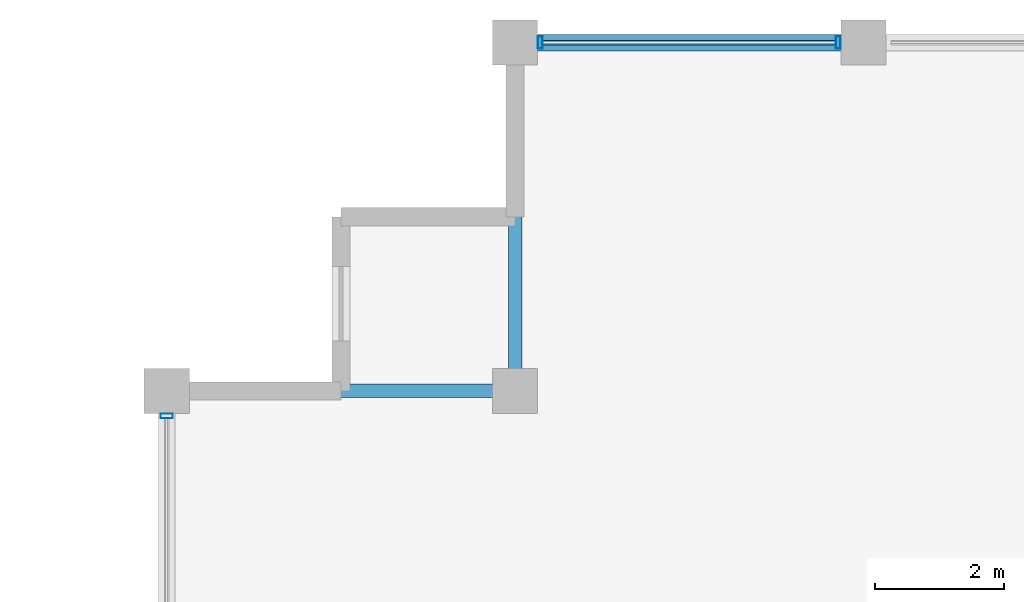
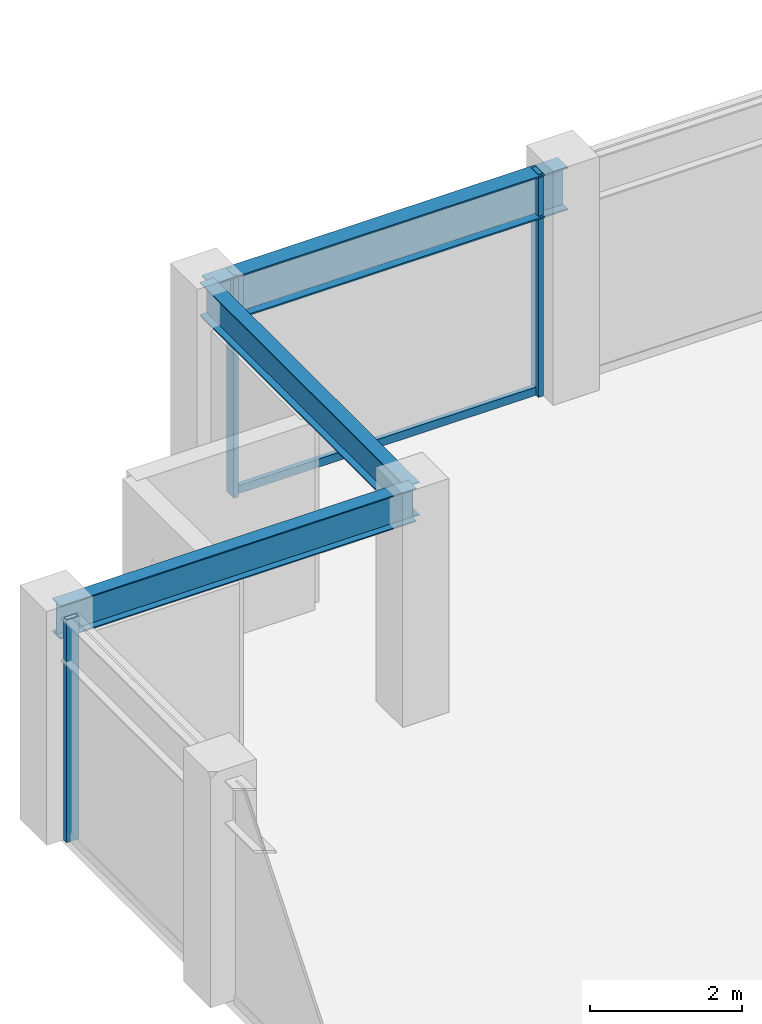
# One storey, part 15 of 31: 4 members, 3 beams, 2 elements without a shape of their own.
"""IFC4 building model written with IfcOpenShell, lengths in metres."""

from ifc_helpers import new_model, si_unit, direction, frame, origin, origin_2d, place, context, subcontext, project, spatial, hollow_rectangle, i_section, extrude, material, layer, layer_set, material_profile, profile_set, type_object, element, aggregate, save


model = new_model("IFC4")

# Units and contexts
model_context = context("Model", 3, precision=1e-05, world=origin(), true_north=direction((0.0, 1.0)))
body_context = subcontext(model_context, "Body", "Model", "MODEL_VIEW")
ifc_project = project(units=[si_unit("LENGTHUNIT", "METRE"), si_unit("AREAUNIT", "SQUARE_METRE"), si_unit("VOLUMEUNIT", "CUBIC_METRE"), si_unit("PLANEANGLEUNIT", "RADIAN"), si_unit("MASSUNIT", "GRAM", prefix="KILO")], contexts=[model_context])

# Site, building, storey
site_placement = place(None, origin())
site = spatial("IfcSite", under=ifc_project, at=site_placement, CompositionType="ELEMENT")
building_placement = place(site_placement, origin())
building = spatial("IfcBuilding", under=site, at=building_placement, Name="Surkhivell Harbour Commons", CompositionType="ELEMENT")
storey_placement = place(building_placement, frame((0.0, 0.0, 318.75)))
storey = spatial("IfcBuildingStorey", under=building, at=storey_placement, Name="L83", CompositionType="ELEMENT", Elevation=318.75)

# Beams
ifc_material_1 = material(Name="Steel S355", Category="steel")
ifc_material_profile_1 = material_profile(ifc_material_1, i_section(OverallWidth=0.2099609375, OverallDepth=0.537109375, WebThickness=0.0107421875, FlangeThickness=0.017333984375, at=origin_2d()), Name="UB533x210x101")
ifc_profile_set_1 = profile_set([ifc_material_profile_1], Name="Steel S355")
beam_type_1 = type_object("IfcBeamType", Name="BM-GRD-533B", PredefinedType="BEAM", material=ifc_profile_set_1)
for number, where, z_axis, x_axis, name in (
    (1, (-27.0, 20.5, 3.301513671875), (1.0, 0.0, 0.0), (0.0, 1.0, 0.0), "L83 Floor Girder (-27.0,20.5)"),
    (2, (-21.60009765625, 20.5, 3.301513671875), (0.0, 1.0, 0.0), (-1.0, 0.0, 0.0), "L83 Floor Girder (-21.6,20.5)"),
):
    element("IfcBeam", number, at=place(storey_placement, frame(where, z_axis=z_axis, x_axis=x_axis)), inside=storey, type_object=beam_type_1, Name=name, PredefinedType="BEAM", context=body_context, shape_type="SweptSolid", body=[
        extrude(i_section(OverallWidth=0.2099609375, OverallDepth=0.537109375, WebThickness=0.0107421875, FlangeThickness=0.017333984375, at=origin_2d()), origin(), (0.0, 0.0, 1.0), 5.39990234375),
    ])
ifc_material_profile_2 = material_profile(ifc_material_1, i_section(OverallWidth=0.256103515625, OverallDepth=0.693115234375, WebThickness=0.014404296875, FlangeThickness=0.023681640625, at=origin_2d()), Name="UB686x254x170")
ifc_profile_set_2 = profile_set([ifc_material_profile_2], Name="Steel S355")
beam_type_2 = type_object("IfcBeamType", Name="BM-SPN-686", PredefinedType="SPANDREL", material=ifc_profile_set_2)
beam_placement = place(storey_placement, frame((-21.60009765625, 25.89990234375, 3.223388671875), z_axis=(1.0, 0.0, 0.0), x_axis=(0.0, 1.0, 0.0)))
element("IfcBeam", 3, at=beam_placement, inside=storey, type_object=beam_type_2, Name="L83 Tube Spandrel (-21.6,25.9)", PredefinedType="SPANDREL", context=body_context, shape_type="SweptSolid", body=[
    extrude(i_section(OverallWidth=0.256103515625, OverallDepth=0.693115234375, WebThickness=0.014404296875, FlangeThickness=0.023681640625, at=origin_2d()), origin(), (0.0, 0.0, 1.0), 5.400146484375),
])

# Curtain wall, members
ifc_material_2 = material(Name="Anodised pale-metal aluminium and insulated glazing", Category="aluminium")
ifc_layer = layer(ifc_material_2, 0.175048828125)
ifc_layer_set = layer_set([ifc_layer], Name="Anodised pale-metal aluminium and insulated glazing")
curtain_wall_type = type_object("IfcCurtainWallType", Name="CW-SYS-Z4", PredefinedType="NOTDEFINED", material=ifc_layer_set)
curtain_wall_1_placement = place(storey_placement, origin())
curtain_wall_1 = element("IfcCurtainWall", 4, at=curtain_wall_1_placement, inside=storey, type_object=curtain_wall_type, Name="L83 Curtain Wall CW-L83-E07S2", PredefinedType="NOTDEFINED")
ifc_material_3 = material(Name="Anodised pale-metal aluminium alloy 6063-T6", Category="aluminium")
ifc_material_profile_3 = material_profile(ifc_material_3, hollow_rectangle(XDim=0.074951171875, YDim=0.18994140625, WallThickness=0.00390625, at=origin_2d()), Name="ALU-MULL-75x190")
ifc_profile_set_3 = profile_set([ifc_material_profile_3], Name="Anodised pale-metal aluminium alloy 6063-T6")
member_type_1 = type_object("IfcMemberType", Name="CWM-190", PredefinedType="MULLION", material=ifc_profile_set_3)
member_1_placement = place(storey_placement, frame((-16.589599609375, 25.89990234375, 0.0), z_axis=(0.0, 0.0, 1.0), x_axis=(-1.0, 0.0, 0.0)))
member_1 = element("IfcMember", 5, at=member_1_placement, type_object=member_type_1, Name="CW-Z4 mullion 3", PredefinedType="MULLION", context=body_context, shape_type="SweptSolid", body=[
    extrude(hollow_rectangle(XDim=0.074951171875, YDim=0.18994140625, WallThickness=0.00390625, at=origin_2d()), origin(), (0.0, 0.0, 1.0), 3.570068359375),
])
member_2_placement = place(storey_placement, frame((-21.21044921875, 25.89990234375, 0.0), z_axis=(0.0, 0.0, 1.0), x_axis=(-1.0, 0.0, 0.0)))
member_2 = element("IfcMember", 6, at=member_2_placement, type_object=member_type_1, Name="CW-Z4 mullion 4", PredefinedType="MULLION", context=body_context, shape_type="SweptSolid", body=[
    extrude(hollow_rectangle(XDim=0.074951171875, YDim=0.18994140625, WallThickness=0.00390625, at=origin_2d()), origin(), (0.0, 0.0, 1.0), 3.570068359375),
])

# Curtain wall, member
curtain_wall_2_placement = place(storey_placement, origin())
curtain_wall_2 = element("IfcCurtainWall", 7, at=curtain_wall_2_placement, inside=storey, type_object=curtain_wall_type, Name="L83 Curtain Wall CW-L83-E12R2", PredefinedType="NOTDEFINED")
member_3_placement = place(storey_placement, frame((-27.0, 20.110595703125, 0.0), z_axis=(0.0, 0.0, 1.0), x_axis=(0.0, 1.0, 0.0)))
member_3 = element("IfcMember", 8, at=member_3_placement, type_object=member_type_1, Name="CW-Z4 mullion 4", PredefinedType="MULLION", context=body_context, shape_type="SweptSolid", body=[
    extrude(hollow_rectangle(XDim=0.074951171875, YDim=0.18994140625, WallThickness=0.00390625, at=origin_2d()), origin(), (0.0, 0.0, 1.0), 3.570068359375),
])
aggregate(curtain_wall_2, [member_3])

# Member
ifc_material_4 = material(Name="Champagne anodised aluminium alloy 6063-T6", Category="aluminium")
ifc_material_profile_4 = material_profile(ifc_material_4, hollow_rectangle(XDim=0.070068359375, YDim=0.1298828125, WallThickness=0.00341796875, at=origin_2d()), Name="ALU-TRAN-70x130")
ifc_profile_set_4 = profile_set([ifc_material_profile_4], Name="Champagne anodised aluminium alloy 6063-T6")
member_type_2 = type_object("IfcMemberType", Name="CWT-130", PredefinedType="USERDEFINED", material=ifc_profile_set_4)
member_4_placement = place(storey_placement, frame((-16.626953125, 25.89990234375, 0.06494140625), z_axis=(-1.0, 0.0, 0.0), x_axis=(0.0, -1.0, 0.0)))
member_4 = element("IfcMember", 9, at=member_4_placement, type_object=member_type_2, Name="CW-Z4 transom 3.1", ObjectType="TRANSOM", PredefinedType="USERDEFINED", context=body_context, shape_type="SweptSolid", body=[
    extrude(hollow_rectangle(XDim=0.070068359375, YDim=0.1298828125, WallThickness=0.00341796875, at=origin_2d()), origin(), (0.0, 0.0, 1.0), 4.546142578125),
])

aggregate(curtain_wall_1, [member_1, member_2, member_4])

save(model, "model.ifc")
